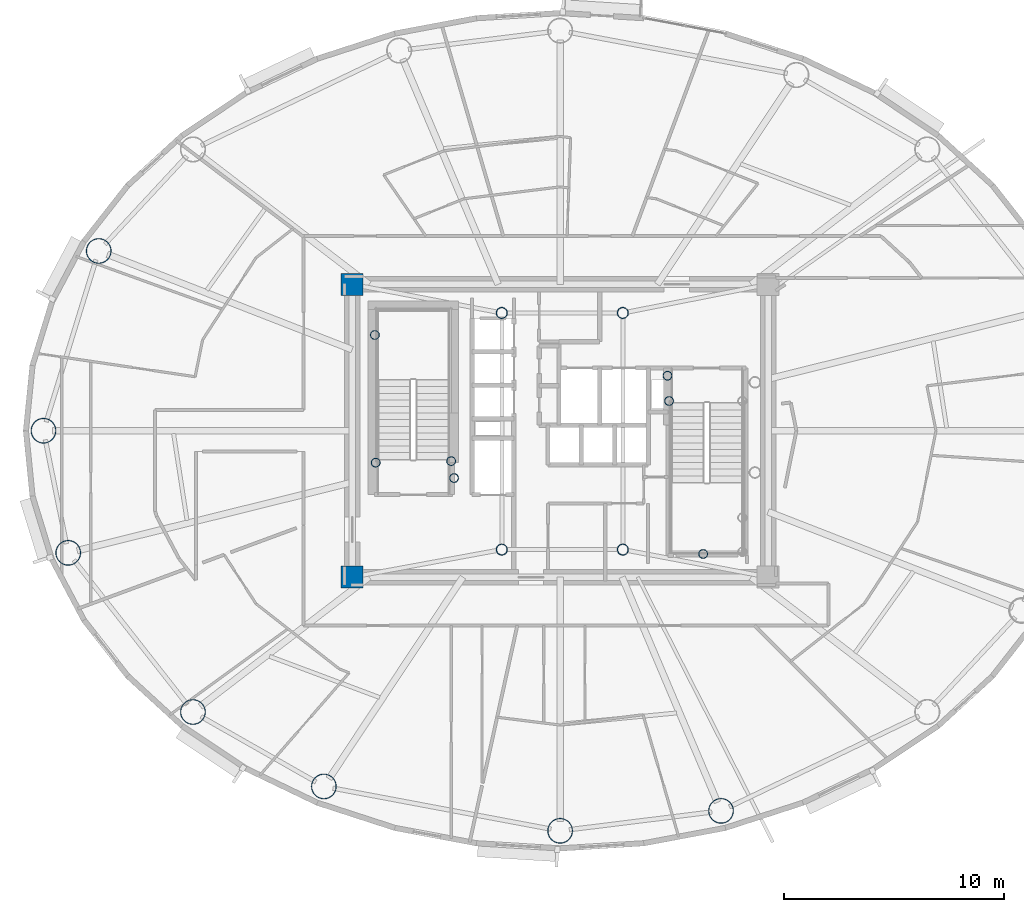
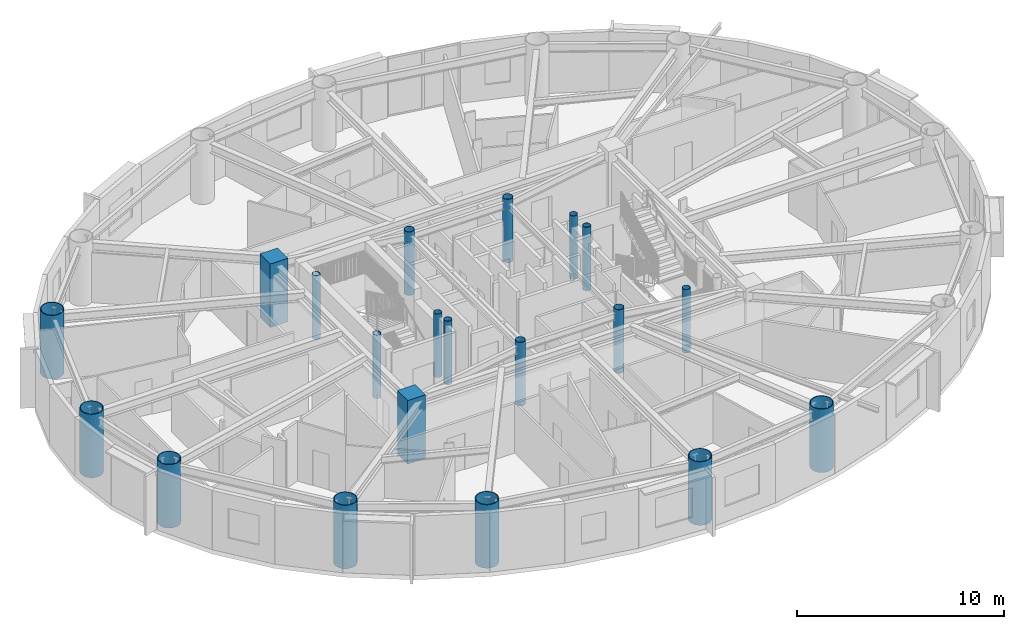
# One storey, part 1 of 20: 20 columns.
"""IFC4 building model written with IfcOpenShell, lengths in metres."""

from ifc_helpers import new_model, si_unit, direction, frame, origin, origin_2d, place, context, subcontext, project, spatial, rectangle, hollow_circle, extrude, material, material_profile, profile_set, type_object, element, save


model = new_model("IFC4")

# Units and contexts
model_context = context("Model", 3, precision=1e-05, world=origin(), true_north=direction((0.0, 1.0)))
body_context = subcontext(model_context, "Body", "Model", "MODEL_VIEW")
ifc_project = project(units=[si_unit("LENGTHUNIT", "METRE"), si_unit("AREAUNIT", "SQUARE_METRE"), si_unit("VOLUMEUNIT", "CUBIC_METRE"), si_unit("PLANEANGLEUNIT", "RADIAN"), si_unit("MASSUNIT", "GRAM", prefix="KILO")], contexts=[model_context])

# Site, building, storey
site_placement = place(None, origin())
site = spatial("IfcSite", under=ifc_project, at=site_placement, CompositionType="ELEMENT")
building_placement = place(site_placement, origin())
building = spatial("IfcBuilding", under=site, at=building_placement, Name="Linh Dai School and Residence Tower", CompositionType="ELEMENT")
storey_placement = place(building_placement, frame((0.0, 0.0, 221.550048828125)))
storey = spatial("IfcBuildingStorey", under=building, at=storey_placement, Name="L54", CompositionType="ELEMENT", Elevation=221.550048828125)

# Columns
ifc_material_1 = material(Name="Concrete B45 (C35/45)", Category="concrete")
ifc_material_profile_1 = material_profile(ifc_material_1, rectangle(XDim=1.0, YDim=1.0, at=origin_2d()), Name="RC 1000x1000")
ifc_profile_set_1 = profile_set([ifc_material_profile_1], Name="Concrete B45 (C35/45)")
column_type_1 = type_object("IfcColumnType", Name="COL-CC3", PredefinedType="COLUMN", material=ifc_profile_set_1)
for number, where, z_axis, x_axis, name in (
    (1, (26.550048828125, 20.35009765625, 0.0), (0.0, 0.0, 1.0), (1.0, 0.0, 0.0), "L54 Core Corner Pier CC1"),
    (2, (26.550048828125, 33.64990234375, 0.0), (0.0, 0.0, 1.0), (1.0, 0.0, 0.0), "L54 Core Corner Pier CC4"),
):
    element("IfcColumn", number, at=place(storey_placement, frame(where, z_axis=z_axis, x_axis=x_axis)), inside=storey, type_object=column_type_1, Name=name, PredefinedType="COLUMN", context=body_context, shape_type="SweptSolid", body=[
        extrude(rectangle(XDim=1.0, YDim=1.0, at=origin_2d()), origin(), (0.0, 0.0, 1.0), 3.75),
    ])
ifc_material_2 = material(Name="Structural Steel S355JR", Category="steel")
ifc_material_profile_2 = material_profile(ifc_material_2, hollow_circle(Radius=0.203125, WallThickness=0.01611328125, at=origin_2d()), Name="CHS 406.4x16")
ifc_profile_set_2 = profile_set([ifc_material_profile_2], Name="Structural Steel S355JR")
column_type_2 = type_object("IfcColumnType", Name="COL-EC", PredefinedType="COLUMN", material=ifc_profile_set_2)
for number, where, z_axis, x_axis, name in (
    (3, (27.580078125, 31.35009765625, 0.0), (0.0, 0.0, 1.0), (1.0, 0.0, 0.0), "L54 Stair Shaft Landing Support Pier ST1NW"),
    (4, (31.050048828125, 25.6201171875, 0.0), (0.0, 0.0, 1.0), (1.0, 0.0, 0.0), "L54 Stair Shaft Landing Support Pier ST1SE"),
    (5, (31.179931640625, 24.85009765625, 0.0), (0.0, 0.0, 1.0), (1.0, 0.0, 0.0), "L54 Stair Shaft Landing Support Pier ST1SM"),
    (6, (27.6201171875, 25.550048828125, 0.0), (0.0, 0.0, 1.0), (1.0, 0.0, 0.0), "L54 Stair Shaft Landing Support Pier ST1SW"),
    (7, (42.5, 21.39990234375, 0.0), (0.0, 0.0, 1.0), (1.0, 0.0, 0.0), "L54 Stair Shaft Landing Support Pier ST2MS"),
    (8, (40.949951171875, 28.35009765625, 0.0), (0.0, 0.0, 1.0), (1.0, 0.0, 0.0), "L54 Stair Shaft Landing Support Pier ST2N1"),
    (9, (40.8798828125, 29.5, 0.0), (0.0, 0.0, 1.0), (1.0, 0.0, 0.0), "L54 Stair Shaft Landing Support Pier ST2N3"),
):
    element("IfcColumn", number, at=place(storey_placement, frame(where, z_axis=z_axis, x_axis=x_axis)), inside=storey, type_object=column_type_2, Name=name, PredefinedType="COLUMN", context=body_context, shape_type="SweptSolid", body=[
        extrude(hollow_circle(Radius=0.203125, WallThickness=0.01611328125, at=origin_2d()), origin(), (0.0, 0.0, 1.0), 3.75),
    ])
ifc_material_profile_3 = material_profile(ifc_material_2, hollow_circle(Radius=0.574951171875, WallThickness=0.035888671875, at=origin_2d()), Name="CHS 1150x36")
ifc_profile_set_3 = profile_set([ifc_material_profile_3], Name="Structural Steel S355JR")
column_type_3 = type_object("IfcColumnType", Name="COL-MC5", PredefinedType="COLUMN", material=ifc_profile_set_3)
for number, where, z_axis, x_axis, name in (
    (10, (15.03466796875, 35.1689453125, 0.0), (0.0, 0.0, 1.0), (1.0, 0.0, 0.0), "L54 Perimeter CFT Mega-Column MC08"),
    (11, (12.52490234375, 27.0, 0.0), (0.0, 0.0, 1.0), (1.0, 0.0, 0.0), "L54 Perimeter CFT Mega-Column MC09"),
    (12, (13.648681640625, 21.45068359375, 0.0), (0.0, 0.0, 1.0), (1.0, 0.0, 0.0), "L54 Perimeter CFT Mega-Column MC10"),
    (13, (19.31689453125, 14.218994140625, 0.0), (0.0, 0.0, 1.0), (1.0, 0.0, 0.0), "L54 Perimeter CFT Mega-Column MC11"),
    (14, (25.265380859375, 10.83642578125, 0.0), (0.0, 0.0, 1.0), (1.0, 0.0, 0.0), "L54 Perimeter CFT Mega-Column MC12"),
    (15, (36.0, 8.820068359375, 0.0), (0.0, 0.0, 1.0), (1.0, 0.0, 0.0), "L54 Perimeter CFT Mega-Column MC13"),
    (16, (43.31201171875, 9.7265625, 0.0), (0.0, 0.0, 1.0), (1.0, 0.0, 0.0), "L54 Perimeter CFT Mega-Column MC14"),
):
    element("IfcColumn", number, at=place(storey_placement, frame(where, z_axis=z_axis, x_axis=x_axis)), inside=storey, type_object=column_type_3, Name=name, PredefinedType="COLUMN", context=body_context, shape_type="SweptSolid", body=[
        extrude(hollow_circle(Radius=0.574951171875, WallThickness=0.035888671875, at=origin_2d()), origin(), (0.0, 0.0, 1.0), 3.75),
    ])
ifc_material_profile_4 = material_profile(ifc_material_2, hollow_circle(Radius=0.25390625, WallThickness=0.02001953125, at=origin_2d()), Name="CHS 508x20")
ifc_profile_set_4 = profile_set([ifc_material_profile_4], Name="Structural Steel S355JR")
column_type_4 = type_object("IfcColumnType", Name="COL-MCP", PredefinedType="COLUMN", material=ifc_profile_set_4)
for number, where, z_axis, x_axis, name in (
    (17, (33.35009765625, 21.60009765625, 0.0), (0.0, 0.0, 1.0), (1.0, 0.0, 0.0), "L54 Core Mast Support Pier MCP1"),
    (18, (38.85009765625, 21.60009765625, 0.0), (0.0, 0.0, 1.0), (1.0, 0.0, 0.0), "L54 Core Mast Support Pier MCP2"),
    (19, (38.85009765625, 32.35009765625, 0.0), (0.0, 0.0, 1.0), (1.0, 0.0, 0.0), "L54 Core Mast Support Pier MCP3"),
    (20, (33.35009765625, 32.35009765625, 0.0), (0.0, 0.0, 1.0), (1.0, 0.0, 0.0), "L54 Core Mast Support Pier MCP4"),
):
    element("IfcColumn", number, at=place(storey_placement, frame(where, z_axis=z_axis, x_axis=x_axis)), inside=storey, type_object=column_type_4, Name=name, PredefinedType="COLUMN", context=body_context, shape_type="SweptSolid", body=[
        extrude(hollow_circle(Radius=0.25390625, WallThickness=0.02001953125, at=origin_2d()), origin(), (0.0, 0.0, 1.0), 3.75),
    ])

save(model, "model.ifc")
